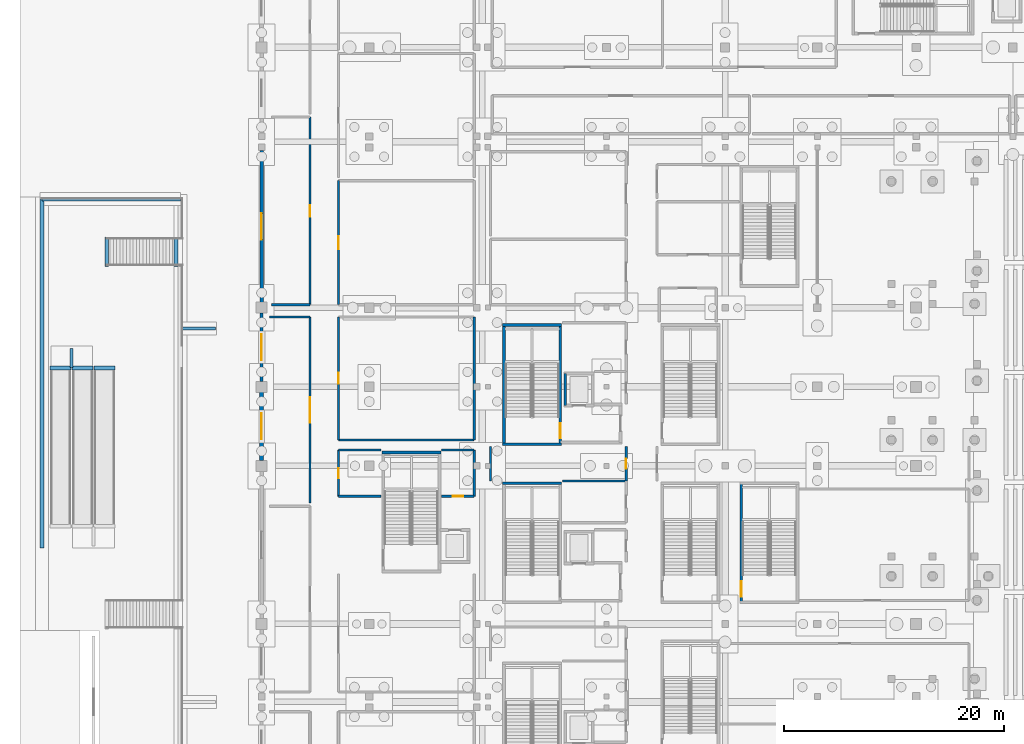
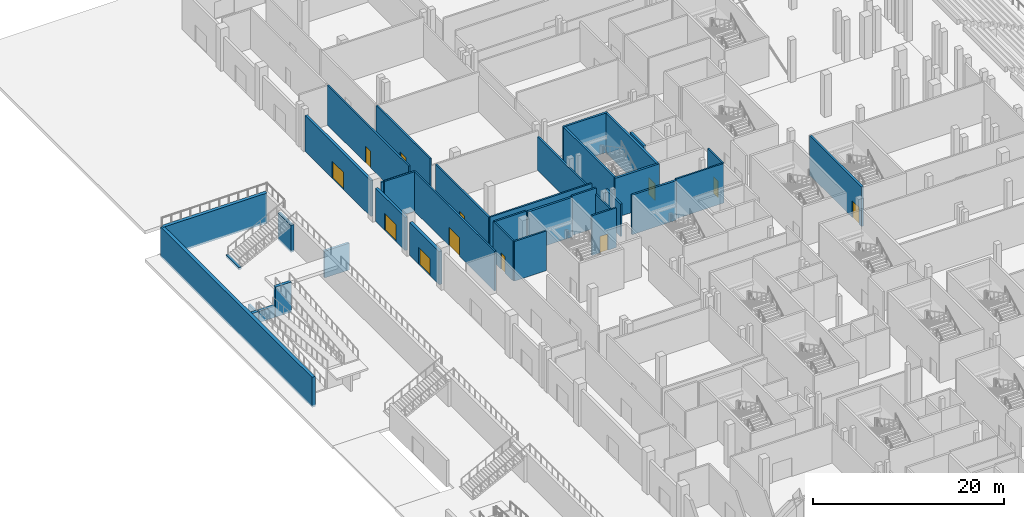
# One storey, part 37 of 89: 37 walls, 12 doors, 12 openings.
"""IFC4 building model written with IfcOpenShell, lengths in metres."""

from ifc_helpers import new_model, si_unit, direction, frame, frame_2d, origin, place, context, subcontext, project, spatial, rectangle, extrude, material, layer, layer_set, type_object, element, fill, save


model = new_model("IFC4")

# Units and contexts
model_context = context("Model", 3, precision=1e-05, world=origin(), true_north=direction((0.0, 1.0)))
body_context = subcontext(model_context, "Body", "Model", "MODEL_VIEW")
ifc_project = project(units=[si_unit("LENGTHUNIT", "METRE"), si_unit("AREAUNIT", "SQUARE_METRE"), si_unit("VOLUMEUNIT", "CUBIC_METRE"), si_unit("PLANEANGLEUNIT", "RADIAN"), si_unit("MASSUNIT", "GRAM", prefix="KILO")], contexts=[model_context])

# Site, building, storey
site_placement = place(None, origin())
site = spatial("IfcSite", under=ifc_project, at=site_placement, CompositionType="ELEMENT")
building_placement = place(site_placement, origin())
building = spatial("IfcBuilding", under=site, at=building_placement, Name="Koshinbarg Plaza Stadium", CompositionType="ELEMENT")
storey_placement = place(building_placement, origin())
storey = spatial("IfcBuildingStorey", under=building, at=storey_placement, Name="L00", CompositionType="ELEMENT", Elevation=0.0)

# Walls
ifc_material_1 = material(Name="Concrete C40/50", Category="concrete")
ifc_layer_1 = layer(ifc_material_1, 0.25)
ifc_layer_set_1 = layer_set([ifc_layer_1], Name="Concrete C40/50")
wall_type_1 = type_object("IfcWallType", Name="WL-CORE-250", PredefinedType="SHEAR", material=ifc_layer_set_1)
for number, where, z_axis, x_axis, name in (
    (1, (31.320068359375, 95.925048828125, 0.0), (0.0, 0.0, 1.0), (-1.0, 0.0, 0.0), "L00 core stair shear wall C05-far IWL-L00-0107"),
    (2, (25.949951171875, 99.47509765625, 0.0), (0.0, 0.0, 1.0), (1.0, 0.0, 0.0), "L00 core stair shear wall C06-near IWL-L00-0134"),
    (3, (31.320068359375, 110.324951171875, 0.0), (0.0, 0.0, 1.0), (-1.0, 0.0, 0.0), "L00 core stair shear wall C06-far IWL-L00-0135"),
):
    element("IfcWall", number, at=place(storey_placement, frame(where, z_axis=z_axis, x_axis=x_axis)), inside=storey, type_object=wall_type_1, Name=name, PredefinedType="SHEAR", context=body_context, shape_type="SweptSolid", body=[
        extrude(rectangle(XDim=5.3701171875, YDim=0.25, at=frame_2d((2.68505859375, 0.0))), origin(), (0.0, 0.0, 1.0), 5.080078125),
    ])
wall_1_placement = place(storey_placement, frame((26.074951171875, 99.47509765625, 0.0), z_axis=(0.0, 0.0, 1.0), x_axis=(0.0, 1.0, 0.0)))
element("IfcWall", 4, at=wall_1_placement, inside=storey, type_object=wall_type_1, Name="L00 core stair shear wall C06-left IWL-L00-0136", PredefinedType="SHEAR", context=body_context, shape_type="SweptSolid", body=[
    extrude(rectangle(XDim=10.849853515625, YDim=0.25, at=frame_2d((5.4248046875, 0.0))), origin(), (0.0, 0.0, 1.0), 5.080078125),
])

# Wall, opening, door
wall_2_placement = place(storey_placement, frame((31.195068359375, 99.47509765625, 0.0), z_axis=(0.0, 0.0, 1.0), x_axis=(0.0, 1.0, 0.0)))
wall_2 = element("IfcWall", 5, at=wall_2_placement, inside=storey, type_object=wall_type_1, Name="L00 core stair shear wall C06-right IWL-L00-0137", PredefinedType="SHEAR", context=body_context, shape_type="SweptSolid", body=[
    extrude(rectangle(XDim=10.849853515625, YDim=0.25, at=frame_2d((5.4248046875, 0.0))), origin(), (0.0, 0.0, 1.0), 5.080078125),
])
opening_1_placement = place(wall_2_placement, frame((0.52001953125, 0.0, 0.0)))
opening_1 = element("IfcOpeningElement", 6, at=opening_1_placement, cuts=wall_2, Name="Opening D-0096", PredefinedType="OPENING", context=body_context, shape_type="SweptSolid", body=[
    extrude(rectangle(XDim=1.39990234375, YDim=2.14990234375, at=frame_2d((0.699951171875, 1.074951171875))), frame((0.0, 0.135009765625, 0.0), z_axis=(0.0, -1.0, 0.0), x_axis=(1.0, 0.0, 0.0)), (0.0, 0.0, 1.0), 0.27001953125),
])
ifc_material_2 = material(Name="Painted galvanized steel fire door", Category="steel")
door_type_1 = type_object("IfcDoorType", Name="DR-STAIR-1400", OperationType="NOTDEFINED", PredefinedType="DOOR", material=ifc_material_2)
door_1_placement = place(opening_1_placement, frame((1.39990234375, 0.0, 0.0), z_axis=(0.0, 0.0, 1.0), x_axis=(-1.0, 0.0, 0.0)))
door_1 = element("IfcDoor", 7, at=door_1_placement, inside=storey, type_object=door_type_1, Name="L00 exit stair door C06", OperationType="SINGLE_SWING_LEFT", OverallHeight=2.14990234375, OverallWidth=1.39990234375, PredefinedType="DOOR", context=body_context, shape_type="SweptSolid", body=[
    extrude(rectangle(XDim=1.39990234375, YDim=2.14990234375, at=frame_2d((0.699951171875, 1.074951171875))), frame((0.0, 0.02490234375, 0.0), z_axis=(0.0, -1.0, 0.0), x_axis=(1.0, 0.0, 0.0)), (0.0, 0.0, 1.0), 0.050048828125),
])
fill(opening_1, door_1)

# Wall
wall_3_placement = place(storey_placement, frame((20.320068359375, 98.72509765625, 0.0), z_axis=(0.0, 0.0, 1.0), x_axis=(-1.0, 0.0, 0.0)))
element("IfcWall", 8, at=wall_3_placement, inside=storey, type_object=wall_type_1, Name="L00 core stair shear wall C15-far IWL-L00-0331", PredefinedType="SHEAR", context=body_context, shape_type="SweptSolid", body=[
    extrude(rectangle(XDim=5.3701171875, YDim=0.25, at=frame_2d((2.68505859375, 0.0))), origin(), (0.0, 0.0, 1.0), 5.080078125),
])

# Wall, opening, door
wall_4_placement = place(storey_placement, frame((47.675048828125, 85.074951171875, 0.0), z_axis=(0.0, 0.0, 1.0), x_axis=(0.0, 1.0, 0.0)))
wall_4 = element("IfcWall", 9, at=wall_4_placement, inside=storey, type_object=wall_type_1, Name="L00 vomitory stair shear wall VL03-left IWL-L00-0564", PredefinedType="SHEAR", context=body_context, shape_type="SweptSolid", body=[
    extrude(rectangle(XDim=10.85009765625, YDim=0.25, at=frame_2d((5.425048828125, 0.0))), origin(), (0.0, 0.0, 1.0), 5.080078125),
])
opening_2_placement = place(wall_4_placement, frame((0.52001953125, 0.0, 0.0)))
opening_2 = element("IfcOpeningElement", 10, at=opening_2_placement, cuts=wall_4, Name="Opening D-0203", PredefinedType="OPENING", context=body_context, shape_type="SweptSolid", body=[
    extrude(rectangle(XDim=1.39990234375, YDim=2.14990234375, at=frame_2d((0.699951171875, 1.074951171875))), frame((0.0, 0.135009765625, 0.0), z_axis=(0.0, -1.0, 0.0), x_axis=(1.0, 0.0, 0.0)), (0.0, 0.0, 1.0), 0.27001953125),
])
door_2_placement = place(opening_2_placement, origin())
door_2 = element("IfcDoor", 11, at=door_2_placement, inside=storey, type_object=door_type_1, Name="L00 vomitory exit stair door VL03", OperationType="SINGLE_SWING_RIGHT", OverallHeight=2.14990234375, OverallWidth=1.39990234375, PredefinedType="DOOR", context=body_context, shape_type="SweptSolid", body=[
    extrude(rectangle(XDim=1.39990234375, YDim=2.14990234375, at=frame_2d((0.699951171875, 1.074951171875))), frame((0.0, 0.02490234375, 0.0), z_axis=(0.0, -1.0, 0.0), x_axis=(1.0, 0.0, 0.0)), (0.0, 0.0, 1.0), 0.050048828125),
])
fill(opening_2, door_2)

# Wall
wall_5_placement = place(storey_placement, frame((31.64990234375, 105.89990234375, 0.0), z_axis=(0.0, 0.0, 1.0), x_axis=(0.0, -1.0, 0.0)))
element("IfcWall", 12, at=wall_5_placement, inside=storey, type_object=wall_type_1, Name="L00 lift shaft shear wall FL04-W IWL-L00-0815", PredefinedType="SHEAR", context=body_context, shape_type="SweptSolid", body=[
    extrude(rectangle(XDim=2.89990234375, YDim=0.25, at=frame_2d((1.449951171875, 0.0))), origin(), (0.0, 0.0, 1.0), 5.080078125),
])

# Wall, opening, door
ifc_material_3 = material(Name="Terracotta-ochre mineral plaster insulated wall", Category="masonry")
ifc_layer_2 = layer(ifc_material_3, 0.280029296875)
ifc_layer_set_2 = layer_set([ifc_layer_2], Name="Terracotta-ochre mineral plaster insulated wall")
wall_type_2 = type_object("IfcWallType", Name="WL-EXT-280", PredefinedType="SOLIDWALL", material=ifc_layer_set_2)
wall_6_placement = place(storey_placement, frame((4.0, 105.195068359375, 0.0), z_axis=(0.0, 0.0, 1.0), x_axis=(0.0, 1.0, 0.0)))
wall_6 = element("IfcWall", 13, at=wall_6_placement, inside=storey, type_object=wall_type_2, Name="L00 exterior envelope wall EWL-L00-0012", PredefinedType="SOLIDWALL", context=body_context, shape_type="SweptSolid", body=[
    extrude(rectangle(XDim=6.2099609375, YDim=0.280029296875, at=frame_2d((3.10498046875, 0.0))), origin(), (0.0, 0.0, 1.0), 4.260009765625),
])
opening_3_placement = place(wall_6_placement, frame((1.905029296875, 0.0, 0.0)))
opening_3 = element("IfcOpeningElement", 14, at=opening_3_placement, cuts=wall_6, Name="Opening D-0013", PredefinedType="OPENING", context=body_context, shape_type="SweptSolid", body=[
    extrude(rectangle(XDim=2.39990234375, YDim=2.199951171875, at=frame_2d((1.199951171875, 1.10009765625))), frame((0.0, 0.14990234375, 0.0), z_axis=(0.0, -1.0, 0.0), x_axis=(1.0, 0.0, 0.0)), (0.0, 0.0, 1.0), 0.300048828125),
])
ifc_material_4 = material(Name="Anodised aluminium thermally broken exit door", Category="aluminium")
door_type_2 = type_object("IfcDoorType", Name="DR-EXIT-2400", OperationType="NOTDEFINED", PredefinedType="DOOR", material=ifc_material_4)
door_3_placement = place(opening_3_placement, origin())
door_3 = element("IfcDoor", 15, at=door_3_placement, inside=storey, type_object=door_type_2, Name="Main exit E12", OperationType="DOUBLE_DOOR_SINGLE_SWING", OverallHeight=2.199951171875, OverallWidth=2.39990234375, PredefinedType="DOOR", context=body_context, shape_type="SweptSolid", body=[
    extrude(rectangle(XDim=2.39990234375, YDim=2.199951171875, at=frame_2d((1.199951171875, 1.10009765625))), frame((0.0, 0.02490234375, 0.0), z_axis=(0.0, -1.0, 0.0), x_axis=(1.0, 0.0, 0.0)), (0.0, 0.0, 1.0), 0.050048828125),
])
fill(opening_3, door_3)

ifc_material_5 = material(Name="Off-white mineral plaster insulated wall", Category="masonry")
ifc_layer_3 = layer(ifc_material_5, 0.300048828125)
ifc_layer_set_3 = layer_set([ifc_layer_3], Name="Off-white mineral plaster insulated wall")
wall_type_3 = type_object("IfcWallType", Name="WL-EXT-300", PredefinedType="SOLIDWALL", material=ifc_layer_set_3)
wall_7_placement = place(storey_placement, frame((4.0, 112.39501953125, 0.0), z_axis=(0.0, 0.0, 1.0), x_axis=(0.0, 1.0, 0.0)))
wall_7 = element("IfcWall", 16, at=wall_7_placement, inside=storey, type_object=wall_type_3, Name="L00 exterior envelope wall EWL-L00-0013", PredefinedType="SOLIDWALL", context=body_context, shape_type="SweptSolid", body=[
    extrude(rectangle(XDim=13.81005859375, YDim=0.300048828125, at=frame_2d((6.905029296875, 0.0))), origin(), (0.0, 0.0, 1.0), 4.610107421875),
])
opening_4_placement = place(wall_7_placement, frame((5.705078125, 0.0, 0.0)))
opening_4 = element("IfcOpeningElement", 17, at=opening_4_placement, cuts=wall_7, Name="Opening D-0014", PredefinedType="OPENING", context=body_context, shape_type="SweptSolid", body=[
    extrude(rectangle(XDim=2.39990234375, YDim=2.199951171875, at=frame_2d((1.199951171875, 1.10009765625))), frame((0.0, 0.159912109375, 0.0), z_axis=(0.0, -1.0, 0.0), x_axis=(1.0, 0.0, 0.0)), (0.0, 0.0, 1.0), 0.320068359375),
])
door_4_placement = place(opening_4_placement, origin())
door_4 = element("IfcDoor", 18, at=door_4_placement, inside=storey, type_object=door_type_2, Name="Main exit E13", OperationType="DOUBLE_DOOR_SINGLE_SWING", OverallHeight=2.199951171875, OverallWidth=2.39990234375, PredefinedType="DOOR", context=body_context, shape_type="SweptSolid", body=[
    extrude(rectangle(XDim=2.39990234375, YDim=2.199951171875, at=frame_2d((1.199951171875, 1.10009765625))), frame((0.0, 0.02490234375, 0.0), z_axis=(0.0, -1.0, 0.0), x_axis=(1.0, 0.0, 0.0)), (0.0, 0.0, 1.0), 0.050048828125),
])
fill(opening_4, door_4)

ifc_material_6 = material(Name="Acoustic insulated masonry stadium wall", Category="masonry")
ifc_layer_4 = layer(ifc_material_6, 0.35009765625)
ifc_layer_set_4 = layer_set([ifc_layer_4], Name="Acoustic insulated masonry stadium wall")
wall_type_4 = type_object("IfcWallType", Name="WL-EXT-350", PredefinedType="SOLIDWALL", material=ifc_layer_set_4)
wall_8_placement = place(storey_placement, frame((4.0, 97.9951171875, 0.0), z_axis=(0.0, 0.0, 1.0), x_axis=(0.0, 1.0, 0.0)))
wall_8 = element("IfcWall", 19, at=wall_8_placement, inside=storey, type_object=wall_type_4, Name="L00 exterior envelope wall EWL-L00-0011", PredefinedType="SOLIDWALL", context=body_context, shape_type="SweptSolid", body=[
    extrude(rectangle(XDim=6.2099609375, YDim=0.35009765625, at=frame_2d((3.10498046875, 0.0))), origin(), (0.0, 0.0, 1.0), 4.260009765625),
])
opening_5_placement = place(wall_8_placement, frame((1.905029296875, 0.0, 0.0)))
opening_5 = element("IfcOpeningElement", 20, at=opening_5_placement, cuts=wall_8, Name="Opening D-0012", PredefinedType="OPENING", context=body_context, shape_type="SweptSolid", body=[
    extrude(rectangle(XDim=2.39990234375, YDim=2.199951171875, at=frame_2d((1.199951171875, 1.10009765625))), frame((0.0, 0.18505859375, 0.0), z_axis=(0.0, -1.0, 0.0), x_axis=(1.0, 0.0, 0.0)), (0.0, 0.0, 1.0), 0.3701171875),
])
door_5_placement = place(opening_5_placement, origin())
door_5 = element("IfcDoor", 21, at=door_5_placement, inside=storey, type_object=door_type_2, Name="Main exit E11", OperationType="DOUBLE_DOOR_SINGLE_SWING", OverallHeight=2.199951171875, OverallWidth=2.39990234375, PredefinedType="DOOR", context=body_context, shape_type="SweptSolid", body=[
    extrude(rectangle(XDim=2.39990234375, YDim=2.199951171875, at=frame_2d((1.199951171875, 1.10009765625))), frame((0.0, 0.02490234375, 0.0), z_axis=(0.0, -1.0, 0.0), x_axis=(1.0, 0.0, 0.0)), (0.0, 0.0, 1.0), 0.050048828125),
])
fill(opening_5, door_5)

ifc_material_7 = material(Name="Autoclaved aerated blockwork fire partition", Category="masonry")
ifc_layer_5 = layer(ifc_material_7, 0.199951171875)
ifc_layer_set_5 = layer_set([ifc_layer_5], Name="Autoclaved aerated blockwork fire partition")
wall_type_5 = type_object("IfcWallType", Name="WL-PART-200", PredefinedType="PARTITIONING", material=ifc_layer_set_5)
wall_9_placement = place(storey_placement, frame((37.199951171875, 96.1298828125, 0.0), z_axis=(0.0, 0.0, 1.0), x_axis=(0.0, 1.0, 0.0)))
wall_9 = element("IfcWall", 22, at=wall_9_placement, inside=storey, type_object=wall_type_5, Name="L00 interior partition L00-85-east IWL-L00-1103", PredefinedType="PARTITIONING", context=body_context, shape_type="SweptSolid", body=[
    extrude(rectangle(XDim=3.14013671875, YDim=0.199951171875, at=frame_2d((1.570068359375, 0.0))), origin(), (0.0, 0.0, 1.0), 5.080078125),
])
opening_6_placement = place(wall_9_placement, frame((1.110107421875, 0.0, 0.0)))
opening_6 = element("IfcOpeningElement", 23, at=opening_6_placement, cuts=wall_9, Name="Opening D-0354", PredefinedType="OPENING", context=body_context, shape_type="SweptSolid", body=[
    extrude(rectangle(XDim=0.919921875, YDim=2.10009765625, at=frame_2d((0.4599609375, 1.050048828125))), frame((0.0, 0.10986328125, 0.0), z_axis=(0.0, -1.0, 0.0), x_axis=(1.0, 0.0, 0.0)), (0.0, 0.0, 1.0), 0.219970703125),
])
ifc_material_8 = material(Name="Solid-core oak veneer acoustic door")
door_type_3 = type_object("IfcDoorType", Name="DR-INT-0920x2100", OperationType="NOTDEFINED", PredefinedType="DOOR", material=ifc_material_8)
door_6_placement = place(opening_6_placement, origin())
door_6 = element("IfcDoor", 24, at=door_6_placement, inside=storey, type_object=door_type_3, Name="L00 VIP Hospitality Lounge door D-0354", OperationType="SINGLE_SWING_RIGHT", OverallHeight=2.10009765625, OverallWidth=0.919921875, PredefinedType="DOOR", context=body_context, shape_type="SweptSolid", body=[
    extrude(rectangle(XDim=0.919921875, YDim=2.10009765625, at=frame_2d((0.4599609375, 1.050048828125))), frame((0.0, 0.02490234375, 0.0), z_axis=(0.0, -1.0, 0.0), x_axis=(1.0, 0.0, 0.0)), (0.0, 0.0, 1.0), 0.050048828125),
])
fill(opening_6, door_6)

# Walls
wall_10_placement = place(storey_placement, frame((24.844970703125, 99.27001953125, 0.0), z_axis=(0.0, 0.0, 1.0), x_axis=(0.0, -1.0, 0.0)))
element("IfcWall", 25, at=wall_10_placement, inside=storey, type_object=wall_type_5, Name="L00 interior partition L00-85-west IWL-L00-1104", PredefinedType="PARTITIONING", context=body_context, shape_type="SweptSolid", body=[
    extrude(rectangle(XDim=3.14013671875, YDim=0.199951171875, at=frame_2d((1.570068359375, 0.0))), origin(), (0.0, 0.0, 1.0), 4.159912109375),
])
wall_11_placement = place(storey_placement, frame((37.199951171875, 96.1298828125, 0.0), z_axis=(0.0, 0.0, 1.0), x_axis=(-1.0, 0.0, 0.0)))
element("IfcWall", 26, at=wall_11_placement, inside=storey, type_object=wall_type_5, Name="L00 interior partition L00-86-north IWL-L00-1107", PredefinedType="PARTITIONING", context=body_context, shape_type="SweptSolid", body=[
    extrude(rectangle(XDim=5.800048828125, YDim=0.199951171875, at=frame_2d((2.89990234375, 0.0))), origin(), (0.0, 0.0, 1.0), 5.080078125),
])

# Wall, opening, door
wall_12_placement = place(storey_placement, frame((8.39990234375, 94.12255859375, 0.0), z_axis=(0.0, 0.0, 1.0), x_axis=(0.0, 1.0, 0.0)))
wall_12 = element("IfcWall", 27, at=wall_12_placement, inside=storey, type_object=wall_type_5, Name="L00 interior partition L00-148-east IWL-L00-1272", PredefinedType="PARTITIONING", context=body_context, shape_type="SweptSolid", body=[
    extrude(rectangle(XDim=16.927490234375, YDim=0.199951171875, at=frame_2d((8.4638671875, 0.0))), origin(), (0.0, 0.0, 1.0), 5.080078125),
])
opening_7_placement = place(wall_12_placement, frame((7.32373046875, 0.0, 0.0)))
opening_7 = element("IfcOpeningElement", 28, at=opening_7_placement, cuts=wall_12, Name="Opening D-0417", PredefinedType="OPENING", context=body_context, shape_type="SweptSolid", body=[
    extrude(rectangle(XDim=2.280029296875, YDim=2.39990234375, at=frame_2d((1.14013671875, 1.199951171875))), frame((0.0, 0.10986328125, 0.0), z_axis=(0.0, -1.0, 0.0), x_axis=(1.0, 0.0, 0.0)), (0.0, 0.0, 1.0), 0.219970703125),
])
ifc_material_9 = material(Name="Anodised aluminium and laminated glass portal door", Category="aluminium")
door_type_4 = type_object("IfcDoorType", Name="DR-INT-2280x2400", OperationType="NOTDEFINED", PredefinedType="DOOR", material=ifc_material_9)
door_7_placement = place(opening_7_placement, origin())
door_7 = element("IfcDoor", 29, at=door_7_placement, inside=storey, type_object=door_type_4, Name="L00 Flagship Supporters' Retail Shop door D-0417", OperationType="DOUBLE_DOOR_SINGLE_SWING", OverallHeight=2.39990234375, OverallWidth=2.280029296875, PredefinedType="DOOR", context=body_context, shape_type="SweptSolid", body=[
    extrude(rectangle(XDim=2.280029296875, YDim=2.39990234375, at=frame_2d((1.14013671875, 1.199951171875))), frame((0.0, 0.02490234375, 0.0), z_axis=(0.0, -1.0, 0.0), x_axis=(1.0, 0.0, 0.0)), (0.0, 0.0, 1.0), 0.050048828125),
])
fill(opening_7, door_7)

# Walls
wall_13_placement = place(storey_placement, frame((8.39990234375, 111.050048828125, 0.0), z_axis=(0.0, 0.0, 1.0), x_axis=(-1.0, 0.0, 0.0)))
element("IfcWall", 30, at=wall_13_placement, inside=storey, type_object=wall_type_5, Name="L00 interior partition L00-148-north IWL-L00-1273", PredefinedType="PARTITIONING", context=body_context, shape_type="SweptSolid", body=[
    extrude(rectangle(XDim=3.699951171875, YDim=0.199951171875, at=frame_2d((1.85009765625, 0.0))), origin(), (0.0, 0.0, 1.0), 5.080078125),
])
for number, where, z_axis, x_axis, name in (
    (31, (11.0, 94.72998046875, 0.0), (0.0, 0.0, 1.0), (1.0, 0.0, 0.0), "L00 interior partition L00-150-south IWL-L00-1277"),
    (32, (14.8701171875, 98.929931640625, 0.0), (0.0, 0.0, 1.0), (-1.0, 0.0, 0.0), "L00 interior partition L00-150-north IWL-L00-1278"),
):
    element("IfcWall", number, at=place(storey_placement, frame(where, z_axis=z_axis, x_axis=x_axis)), inside=storey, type_object=wall_type_5, Name=name, PredefinedType="PARTITIONING", context=body_context, shape_type="SweptSolid", body=[
        extrude(rectangle(XDim=3.8701171875, YDim=0.199951171875, at=frame_2d((1.93505859375, 0.0))), origin(), (0.0, 0.0, 1.0), 5.080078125),
    ])

# Wall, opening, door
wall_14_placement = place(storey_placement, frame((11.0, 98.929931640625, 0.0), z_axis=(0.0, 0.0, 1.0), x_axis=(0.0, -1.0, 0.0)))
wall_14 = element("IfcWall", 33, at=wall_14_placement, inside=storey, type_object=wall_type_5, Name="L00 interior partition L00-150-west IWL-L00-1279", PredefinedType="PARTITIONING", context=body_context, shape_type="SweptSolid", body=[
    extrude(rectangle(XDim=4.199951171875, YDim=0.199951171875, at=frame_2d((2.10009765625, 0.0))), origin(), (0.0, 0.0, 1.0), 5.080078125),
])
opening_8_placement = place(wall_14_placement, frame((1.639892578125, 0.0, 0.0)))
opening_8 = element("IfcOpeningElement", 34, at=opening_8_placement, cuts=wall_14, Name="Opening D-0419", PredefinedType="OPENING", context=body_context, shape_type="SweptSolid", body=[
    extrude(rectangle(XDim=0.919921875, YDim=2.10009765625, at=frame_2d((0.4599609375, 1.050048828125))), frame((0.0, 0.10986328125, 0.0), z_axis=(0.0, -1.0, 0.0), x_axis=(1.0, 0.0, 0.0)), (0.0, 0.0, 1.0), 0.219970703125),
])
door_8_placement = place(opening_8_placement, origin())
door_8 = element("IfcDoor", 35, at=door_8_placement, inside=storey, type_object=door_type_3, Name="L00 Visitor Welcome Concourse door D-0419", OperationType="SINGLE_SWING_LEFT", OverallHeight=2.10009765625, OverallWidth=0.919921875, PredefinedType="DOOR", context=body_context, shape_type="SweptSolid", body=[
    extrude(rectangle(XDim=0.919921875, YDim=2.10009765625, at=frame_2d((0.4599609375, 1.050048828125))), frame((0.0, 0.02490234375, 0.0), z_axis=(0.0, -1.0, 0.0), x_axis=(1.0, 0.0, 0.0)), (0.0, 0.0, 1.0), 0.050048828125),
])
fill(opening_8, door_8)

wall_15_placement = place(storey_placement, frame((20.39990234375, 94.72998046875, 0.0), z_axis=(0.0, 0.0, 1.0), x_axis=(1.0, 0.0, 0.0)))
wall_15 = element("IfcWall", 36, at=wall_15_placement, inside=storey, type_object=wall_type_5, Name="L00 interior partition L00-151-south IWL-L00-1280", PredefinedType="PARTITIONING", context=body_context, shape_type="SweptSolid", body=[
    extrude(rectangle(XDim=2.955078125, YDim=0.199951171875, at=frame_2d((1.4775390625, 0.0))), origin(), (0.0, 0.0, 1.0), 5.080078125),
])
opening_9_placement = place(wall_15_placement, frame((0.99755859375, 0.0, 0.0)))
opening_9 = element("IfcOpeningElement", 37, at=opening_9_placement, cuts=wall_15, Name="Opening D-0420", PredefinedType="OPENING", context=body_context, shape_type="SweptSolid", body=[
    extrude(rectangle(XDim=0.9599609375, YDim=2.10009765625, at=frame_2d((0.47998046875, 1.050048828125))), frame((0.0, 0.10986328125, 0.0), z_axis=(0.0, -1.0, 0.0), x_axis=(1.0, 0.0, 0.0)), (0.0, 0.0, 1.0), 0.219970703125),
])
door_type_5 = type_object("IfcDoorType", Name="DR-INT-0960x2100", OperationType="NOTDEFINED", PredefinedType="DOOR", material=ifc_material_8)
door_9_placement = place(opening_9_placement, origin())
door_9 = element("IfcDoor", 38, at=door_9_placement, inside=storey, type_object=door_type_5, Name="L00 Metro Forecourt Ticketing Foyer door D-0420", OperationType="SINGLE_SWING_RIGHT", OverallHeight=2.10009765625, OverallWidth=0.9599609375, PredefinedType="DOOR", context=body_context, shape_type="SweptSolid", body=[
    extrude(rectangle(XDim=0.9599609375, YDim=2.10009765625, at=frame_2d((0.47998046875, 1.050048828125))), frame((0.0, 0.02490234375, 0.0), z_axis=(0.0, -1.0, 0.0), x_axis=(1.0, 0.0, 0.0)), (0.0, 0.0, 1.0), 0.050048828125),
])
fill(opening_9, door_9)

# Walls
wall_16_placement = place(storey_placement, frame((23.35498046875, 94.72998046875, 0.0), z_axis=(0.0, 0.0, 1.0), x_axis=(0.0, 1.0, 0.0)))
element("IfcWall", 39, at=wall_16_placement, inside=storey, type_object=wall_type_5, Name="L00 interior partition L00-151-east IWL-L00-1281", PredefinedType="PARTITIONING", context=body_context, shape_type="SweptSolid", body=[
    extrude(rectangle(XDim=4.199951171875, YDim=0.199951171875, at=frame_2d((2.10009765625, 0.0))), origin(), (0.0, 0.0, 1.0), 4.31005859375),
])
wall_17_placement = place(storey_placement, frame((23.35498046875, 98.929931640625, 0.0), z_axis=(0.0, 0.0, 1.0), x_axis=(-1.0, 0.0, 0.0)))
element("IfcWall", 40, at=wall_17_placement, inside=storey, type_object=wall_type_5, Name="L00 interior partition L00-151-north IWL-L00-1282", PredefinedType="PARTITIONING", context=body_context, shape_type="SweptSolid", body=[
    extrude(rectangle(XDim=2.955078125, YDim=0.199951171875, at=frame_2d((1.4775390625, 0.0))), origin(), (0.0, 0.0, 1.0), 5.080078125),
])
wall_18_placement = place(storey_placement, frame((11.0, 99.864990234375, 0.0), z_axis=(0.0, 0.0, 1.0), x_axis=(1.0, 0.0, 0.0)))
element("IfcWall", 41, at=wall_18_placement, inside=storey, type_object=wall_type_5, Name="L00 interior partition L00-152-south IWL-L00-1283", PredefinedType="PARTITIONING", context=body_context, shape_type="SweptSolid", body=[
    extrude(rectangle(XDim=12.35498046875, YDim=0.199951171875, at=frame_2d((6.177490234375, 0.0))), origin(), (0.0, 0.0, 1.0), 5.080078125),
])
wall_19_placement = place(storey_placement, frame((23.35498046875, 99.864990234375, 0.0), z_axis=(0.0, 0.0, 1.0), x_axis=(0.0, 1.0, 0.0)))
element("IfcWall", 42, at=wall_19_placement, inside=storey, type_object=wall_type_5, Name="L00 interior partition L00-152-east IWL-L00-1284", PredefinedType="PARTITIONING", context=body_context, shape_type="SweptSolid", body=[
    extrude(rectangle(XDim=11.18505859375, YDim=0.199951171875, at=frame_2d((5.592529296875, 0.0))), origin(), (0.0, 0.0, 1.0), 4.31005859375),
])

# Wall, opening, door
wall_20_placement = place(storey_placement, frame((11.0, 111.050048828125, 0.0), z_axis=(0.0, 0.0, 1.0), x_axis=(0.0, -1.0, 0.0)))
wall_20 = element("IfcWall", 43, at=wall_20_placement, inside=storey, type_object=wall_type_5, Name="L00 interior partition L00-152-west IWL-L00-1286", PredefinedType="PARTITIONING", context=body_context, shape_type="SweptSolid", body=[
    extrude(rectangle(XDim=11.18505859375, YDim=0.199951171875, at=frame_2d((5.592529296875, 0.0))), origin(), (0.0, 0.0, 1.0), 5.080078125),
])
opening_10_placement = place(wall_20_placement, frame((5.092529296875, 0.0, 0.0)))
opening_10 = element("IfcOpeningElement", 44, at=opening_10_placement, cuts=wall_20, Name="Opening D-0421", PredefinedType="OPENING", context=body_context, shape_type="SweptSolid", body=[
    extrude(rectangle(XDim=1.0, YDim=2.10009765625, at=frame_2d((0.5, 1.050048828125))), frame((0.0, 0.10986328125, 0.0), z_axis=(0.0, -1.0, 0.0), x_axis=(1.0, 0.0, 0.0)), (0.0, 0.0, 1.0), 0.219970703125),
])
ifc_material_10 = material(Name="Solid-core laminate accessible WC door")
door_type_6 = type_object("IfcDoorType", Name="DR-INT-1000x2100", OperationType="NOTDEFINED", PredefinedType="DOOR", material=ifc_material_10)
door_10_placement = place(opening_10_placement, origin())
door_10 = element("IfcDoor", 45, at=door_10_placement, inside=storey, type_object=door_type_6, Name="L00 Metro Forecourt Ticketing Foyer door D-0421", OperationType="SINGLE_SWING_LEFT", OverallHeight=2.10009765625, OverallWidth=1.0, PredefinedType="DOOR", context=body_context, shape_type="SweptSolid", body=[
    extrude(rectangle(XDim=1.0, YDim=2.10009765625, at=frame_2d((0.5, 1.050048828125))), frame((0.0, 0.02490234375, 0.0), z_axis=(0.0, -1.0, 0.0), x_axis=(1.0, 0.0, 0.0)), (0.0, 0.0, 1.0), 0.050048828125),
])
fill(opening_10, door_10)

# Wall
wall_21_placement = place(storey_placement, frame((4.89990234375, 112.169921875, 0.0), z_axis=(0.0, 0.0, 1.0), x_axis=(1.0, 0.0, 0.0)))
element("IfcWall", 46, at=wall_21_placement, inside=storey, type_object=wall_type_5, Name="L00 interior partition L00-153-south IWL-L00-1287", PredefinedType="PARTITIONING", context=body_context, shape_type="SweptSolid", body=[
    extrude(rectangle(XDim=3.5, YDim=0.199951171875, at=frame_2d((1.75, 0.0))), origin(), (0.0, 0.0, 1.0), 4.2099609375),
])

# Wall, opening, door
wall_22_placement = place(storey_placement, frame((8.39990234375, 112.169921875, 0.0), z_axis=(0.0, 0.0, 1.0), x_axis=(0.0, 1.0, 0.0)))
wall_22 = element("IfcWall", 47, at=wall_22_placement, inside=storey, type_object=wall_type_5, Name="L00 interior partition L00-153-east IWL-L00-1288", PredefinedType="PARTITIONING", context=body_context, shape_type="SweptSolid", body=[
    extrude(rectangle(XDim=17.090087890625, YDim=0.199951171875, at=frame_2d((8.544921875, 0.0))), origin(), (0.0, 0.0, 1.0), 5.080078125),
])
opening_11_placement = place(wall_22_placement, frame((8.02001953125, 0.0, 0.0)))
opening_11 = element("IfcOpeningElement", 48, at=opening_11_placement, cuts=wall_22, Name="Opening D-0422", PredefinedType="OPENING", context=body_context, shape_type="SweptSolid", body=[
    extrude(rectangle(XDim=1.050048828125, YDim=2.14990234375, at=frame_2d((0.52490234375, 1.074951171875))), frame((0.0, 0.10986328125, 0.0), z_axis=(0.0, -1.0, 0.0), x_axis=(1.0, 0.0, 0.0)), (0.0, 0.0, 1.0), 0.219970703125),
])
ifc_material_11 = material(Name="Solid-core oak suite entrance door")
door_type_7 = type_object("IfcDoorType", Name="DR-INT-1050x2150", OperationType="NOTDEFINED", PredefinedType="DOOR", material=ifc_material_11)
door_11_placement = place(opening_11_placement, origin())
door_11 = element("IfcDoor", 49, at=door_11_placement, inside=storey, type_object=door_type_7, Name="L00 Flagship Supporters' Retail Shop door D-0422", OperationType="SINGLE_SWING_RIGHT", OverallHeight=2.14990234375, OverallWidth=1.050048828125, PredefinedType="DOOR", context=body_context, shape_type="SweptSolid", body=[
    extrude(rectangle(XDim=1.050048828125, YDim=2.14990234375, at=frame_2d((0.52490234375, 1.074951171875))), frame((0.0, 0.02490234375, 0.0), z_axis=(0.0, -1.0, 0.0), x_axis=(1.0, 0.0, 0.0)), (0.0, 0.0, 1.0), 0.050048828125),
])
fill(opening_11, door_11)

wall_23_placement = place(storey_placement, frame((11.0, 123.46337890625, 0.0), z_axis=(0.0, 0.0, 1.0), x_axis=(0.0, -1.0, 0.0)))
wall_23 = element("IfcWall", 50, at=wall_23_placement, inside=storey, type_object=wall_type_5, Name="L00 interior partition L00-155-west IWL-L00-1295", PredefinedType="PARTITIONING", context=body_context, shape_type="SweptSolid", body=[
    extrude(rectangle(XDim=11.29345703125, YDim=0.199951171875, at=frame_2d((5.646728515625, 0.0))), origin(), (0.0, 0.0, 1.0), 5.080078125),
])
opening_12_placement = place(wall_23_placement, frame((5.046630859375, 0.0, 0.0)))
opening_12 = element("IfcOpeningElement", 51, at=opening_12_placement, cuts=wall_23, Name="Opening D-0424", PredefinedType="OPENING", context=body_context, shape_type="SweptSolid", body=[
    extrude(rectangle(XDim=1.199951171875, YDim=2.14990234375, at=frame_2d((0.60009765625, 1.074951171875))), frame((0.0, 0.10986328125, 0.0), z_axis=(0.0, -1.0, 0.0), x_axis=(1.0, 0.0, 0.0)), (0.0, 0.0, 1.0), 0.219970703125),
])
ifc_material_12 = material(Name="Solid-core hardwood leaf in painted steel frame", Category="steel")
door_type_8 = type_object("IfcDoorType", Name="DR-INT-1200x2150", OperationType="NOTDEFINED", PredefinedType="DOOR", material=ifc_material_12)
door_12_placement = place(opening_12_placement, origin())
door_12 = element("IfcDoor", 52, at=door_12_placement, inside=storey, type_object=door_type_8, Name="L00 Visitor Welcome Concourse door D-0424", OperationType="SINGLE_SWING_RIGHT", OverallHeight=2.14990234375, OverallWidth=1.199951171875, PredefinedType="DOOR", context=body_context, shape_type="SweptSolid", body=[
    extrude(rectangle(XDim=1.199951171875, YDim=2.14990234375, at=frame_2d((0.60009765625, 1.074951171875))), frame((0.0, 0.02490234375, 0.0), z_axis=(0.0, -1.0, 0.0), x_axis=(1.0, 0.0, 0.0)), (0.0, 0.0, 1.0), 0.050048828125),
])
fill(opening_12, door_12)

# Walls
ifc_material_13 = material(Name="Concrete C35/45", Category="concrete")
ifc_layer_6 = layer(ifc_material_13, 0.39990234375)
ifc_layer_set_6 = layer_set([ifc_layer_6], Name="Concrete C35/45")
wall_type_6 = type_object("IfcWallType", Name="WL-RET-400", PredefinedType="USERDEFINED", material=ifc_layer_set_6)
wall_24_placement = place(storey_placement, frame((-3.199951171875, 110.0, -3.85009765625), z_axis=(0.0, 0.0, 1.0), x_axis=(1.0, 0.0, 0.0)))
element("IfcWall", 53, at=wall_24_placement, inside=storey, type_object=wall_type_6, Name="Forecourt rim buttress 110", ObjectType="RETAININGWALL", PredefinedType="USERDEFINED", context=body_context, shape_type="SweptSolid", body=[
    extrude(rectangle(XDim=3.0, YDim=0.300048828125, at=frame_2d((1.5, 0.0))), origin(), (0.0, 0.0, 1.0), 3.43017578125),
])
wall_25_placement = place(storey_placement, frame((-3.39990234375, 121.800048828125, -3.85009765625), z_axis=(0.0, 0.0, 1.0), x_axis=(-1.0, 0.0, 0.0)))
element("IfcWall", 54, at=wall_25_placement, inside=storey, type_object=wall_type_6, Name="Sunken metro forecourt retaining wall RW-FC-N", ObjectType="RETAININGWALL", PredefinedType="USERDEFINED", context=body_context, shape_type="SweptSolid", body=[
    extrude(rectangle(XDim=12.60009765625, YDim=0.39990234375, at=frame_2d((6.300048828125, 0.0))), origin(), (0.0, 0.0, 1.0), 3.85009765625),
])
wall_26_placement = place(storey_placement, frame((-16.0, 90.0, -3.85009765625), z_axis=(0.0, 0.0, 1.0), x_axis=(0.0, 1.0, 0.0)))
element("IfcWall", 55, at=wall_26_placement, inside=storey, type_object=wall_type_6, Name="Sunken metro forecourt retaining wall RW-FC-W2", ObjectType="RETAININGWALL", PredefinedType="USERDEFINED", context=body_context, shape_type="SweptSolid", body=[
    extrude(rectangle(XDim=31.800048828125, YDim=0.39990234375, at=frame_2d((15.89990234375, 0.0))), origin(), (0.0, 0.0, 1.0), 3.85009765625),
])
wall_27_placement = place(storey_placement, frame((-15.25, 106.39990234375, -3.85009765625), z_axis=(0.0, 0.0, 1.0), x_axis=(1.0, 0.0, 0.0)))
element("IfcWall", 56, at=wall_27_placement, inside=storey, type_object=wall_type_6, Name="RMP-FC-N1 upper end bearing wall", ObjectType="RETAININGWALL", PredefinedType="USERDEFINED", context=body_context, shape_type="SweptSolid", body=[
    extrude(rectangle(XDim=1.89990234375, YDim=0.35009765625, at=frame_2d((0.949951171875, 0.0))), origin(), (0.0, 0.0, 1.0), 1.4501953125),
])
wall_28_placement = place(storey_placement, frame((-13.300048828125, 106.449951171875, -3.85009765625), z_axis=(0.0, 0.0, 1.0), x_axis=(0.0, 1.0, 0.0)))
element("IfcWall", 57, at=wall_28_placement, inside=storey, type_object=wall_type_6, Name="RMP-FC-N1 landing centre pier", ObjectType="RETAININGWALL", PredefinedType="USERDEFINED", context=body_context, shape_type="SweptSolid", body=[
    extrude(rectangle(XDim=1.75, YDim=0.25, at=frame_2d((0.875, 0.0))), origin(), (0.0, 0.0, 1.0), 1.22998046875),
])
wall_29_placement = place(storey_placement, frame((-13.25, 106.39990234375, -3.85009765625), z_axis=(0.0, 0.0, 1.0), x_axis=(1.0, 0.0, 0.0)))
element("IfcWall", 58, at=wall_29_placement, inside=storey, type_object=wall_type_6, Name="RMP-FC-N2 lower end bearing wall", ObjectType="RETAININGWALL", PredefinedType="USERDEFINED", context=body_context, shape_type="SweptSolid", body=[
    extrude(rectangle(XDim=1.89990234375, YDim=0.35009765625, at=frame_2d((0.949951171875, 0.0))), origin(), (0.0, 0.0, 1.0), 1.4501953125),
])
wall_30_placement = place(storey_placement, frame((-11.25, 106.39990234375, -3.85009765625), z_axis=(0.0, 0.0, 1.0), x_axis=(1.0, 0.0, 0.0)))
element("IfcWall", 59, at=wall_30_placement, inside=storey, type_object=wall_type_6, Name="RMP-FC-N3 upper end bearing wall", ObjectType="RETAININGWALL", PredefinedType="USERDEFINED", context=body_context, shape_type="SweptSolid", body=[
    extrude(rectangle(XDim=1.89990234375, YDim=0.35009765625, at=frame_2d((0.949951171875, 0.0))), origin(), (0.0, 0.0, 1.0), 3.85009765625),
])
wall_31_placement = place(storey_placement, frame((-10.10009765625, 115.64990234375, -3.85009765625), z_axis=(0.0, 0.0, 1.0), x_axis=(0.0, 1.0, 0.0)))
element("IfcWall", 60, at=wall_31_placement, inside=storey, type_object=wall_type_6, Name="ST-FC-04 flight bearing wall 1", ObjectType="RETAININGWALL", PredefinedType="USERDEFINED", context=body_context, shape_type="SweptSolid", body=[
    extrude(rectangle(XDim=2.7001953125, YDim=0.35009765625, at=frame_2d((1.35009765625, 0.0))), origin(), (0.0, 0.0, 1.0), 0.300048828125),
])
wall_32_placement = place(storey_placement, frame((-3.780029296875, 115.64990234375, -3.85009765625), z_axis=(0.0, 0.0, 1.0), x_axis=(0.0, 1.0, 0.0)))
element("IfcWall", 61, at=wall_32_placement, inside=storey, type_object=wall_type_6, Name="ST-FC-04 flight bearing wall 2", ObjectType="RETAININGWALL", PredefinedType="USERDEFINED", context=body_context, shape_type="SweptSolid", body=[
    extrude(rectangle(XDim=2.7001953125, YDim=0.35009765625, at=frame_2d((1.35009765625, 0.0))), origin(), (0.0, 0.0, 1.0), 3.5),
])

save(model, "model.ifc")
